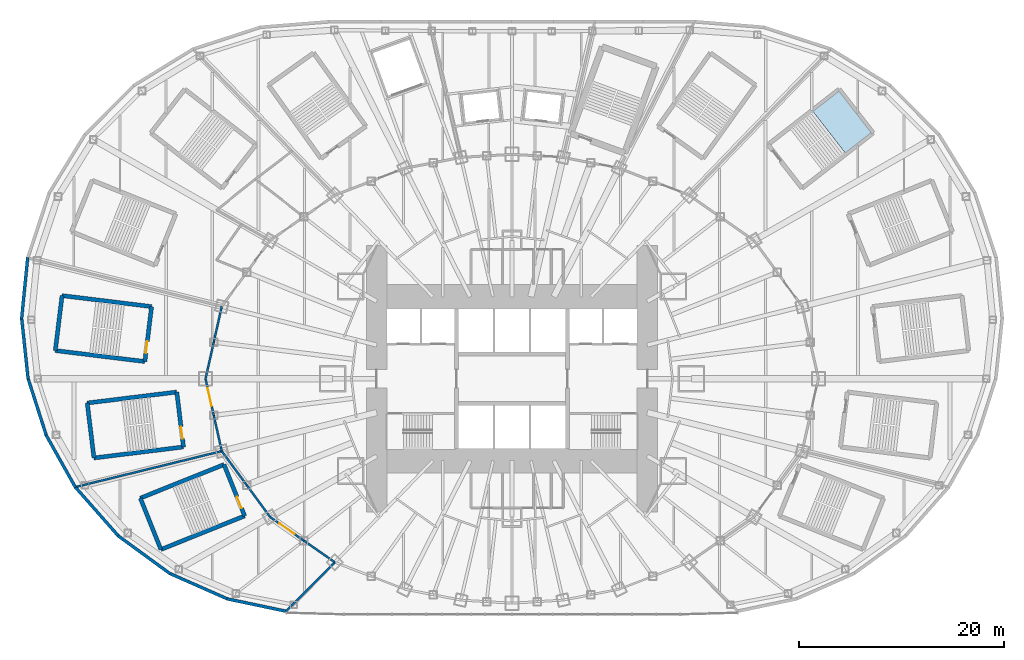
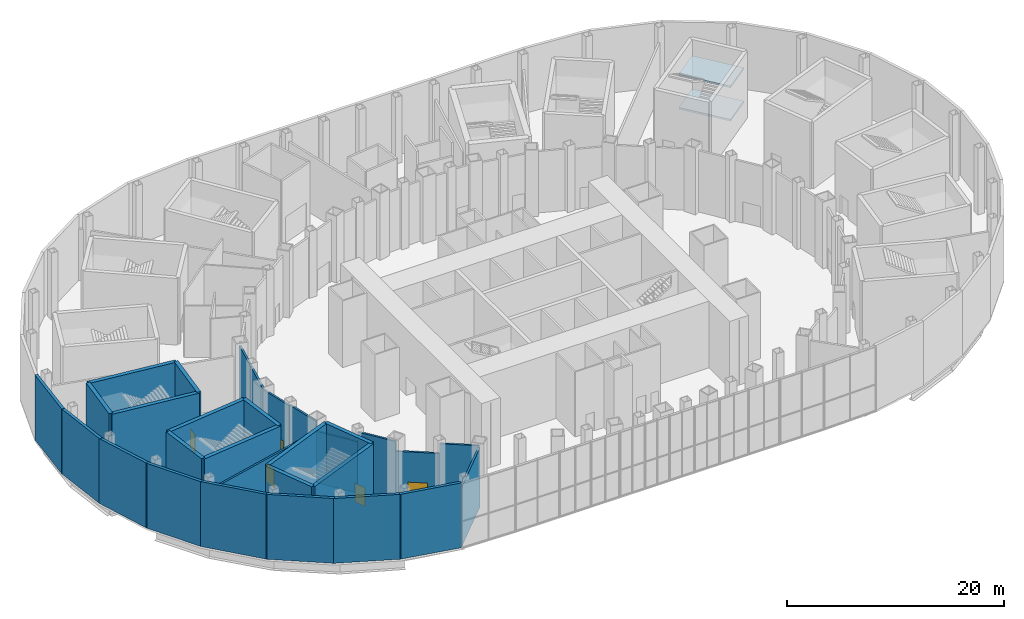
# One storey, part 13 of 73: 30 walls, 5 doors, 2 slabs, 5 openings, 1 element without a shape of its own.
"""IFC4 building model written with IfcOpenShell, lengths in metres."""

from ifc_helpers import new_model, si_unit, direction, frame, frame_2d, origin, place, context, subcontext, project, spatial, polyline, rectangle, outline, extrude, material, layer, layer_set, type_object, element, fill, aggregate, save


model = new_model("IFC4")

# Units and contexts
model_context = context("Model", 3, precision=1e-05, world=origin(), true_north=direction((0.0, 1.0)))
body_context = subcontext(model_context, "Body", "Model", "MODEL_VIEW")
ifc_project = project(units=[si_unit("LENGTHUNIT", "METRE"), si_unit("AREAUNIT", "SQUARE_METRE"), si_unit("VOLUMEUNIT", "CUBIC_METRE"), si_unit("PLANEANGLEUNIT", "RADIAN"), si_unit("MASSUNIT", "GRAM", prefix="KILO")], contexts=[model_context])

# Site, building, storey
site_placement = place(None, origin())
site = spatial("IfcSite", under=ifc_project, at=site_placement, CompositionType="ELEMENT")
building_placement = place(site_placement, origin())
building = spatial("IfcBuilding", under=site, at=building_placement, Name="Lantaw Convention Tower", CompositionType="ELEMENT")
storey_placement = place(building_placement, frame((0.0, 0.0, 14.5)))
storey = spatial("IfcBuildingStorey", under=building, at=storey_placement, Name="L02", CompositionType="ELEMENT", Elevation=14.5)

# Stair, slabs
ifc_material_1 = material(Name="Concrete C35/45", Category="concrete")
stair_type = type_object("IfcStairType", Name="Exit stair 2400 riser 170.45 in 4 flights", PredefinedType="HALF_TURN_STAIR", material=ifc_material_1)
stair_placement = place(storey_placement, origin())
stair = element("IfcStair", 1, at=stair_placement, inside=storey, type_object=stair_type, Name="Podium exit stair P3 L02", PredefinedType="HALF_TURN_STAIR")
ifc_layer_1 = layer(ifc_material_1, 0.199951171875)
ifc_layer_set_1 = layer_set([ifc_layer_1], Name="Stair landing 200")
slab_type = type_object("IfcSlabType", Name="Stair landing 200", PredefinedType="LANDING", material=ifc_layer_set_1)
slab_1_placement = place(storey_placement, frame((0.0, 0.0, 1.675048828125)))
slab_1 = element("IfcSlab", 2, at=slab_1_placement, type_object=slab_type, Name="P3 landing 2", PredefinedType="LANDING", context=body_context, shape_type="SweptSolid", body=[
    extrude(outline(polyline([(32.51953125, 22.0224609375), (35.07080078125, 24.006591796875), (31.903076171875, 28.07958984375), (29.351806640625, 26.095458984375), (32.51953125, 22.0224609375)])), origin(), (0.0, 0.0, 1.0), 0.199951171875),
])
slab_2_placement = place(storey_placement, frame((0.0, 0.0, 5.425048828125)))
slab_2 = element("IfcSlab", 3, at=slab_2_placement, type_object=slab_type, Name="P3 landing 4", PredefinedType="LANDING", context=body_context, shape_type="SweptSolid", body=[
    extrude(outline(polyline([(32.51953125, 22.0224609375), (35.07080078125, 24.006591796875), (31.903076171875, 28.07958984375), (29.351806640625, 26.095458984375), (32.51953125, 22.0224609375)])), origin(), (0.0, 0.0, 1.0), 0.199951171875),
])
aggregate(stair, [slab_1, slab_2])

# Walls
ifc_material_2 = material(Name="Precast concrete panel, pale aluminium rainscreen", Category="concrete")
ifc_layer_2 = layer(ifc_material_2, 0.300048828125)
ifc_layer_set_2 = layer_set([ifc_layer_2], Name="Podium external wall 300")
wall_type_1 = type_object("IfcWallType", Name="Podium external wall 300", PredefinedType="SOLIDWALL", material=ifc_layer_set_2)
wall_1_placement = place(storey_placement, frame((-47.256591796875, 11.845458984375, 0.0), z_axis=(0.0, 0.0, 1.0), x_axis=(-0.099051198898, -0.9950823383, 0.0)))
element("IfcWall", 4, at=wall_1_placement, inside=storey, type_object=wall_type_1, Name="Podium facade wall", PredefinedType="SOLIDWALL", context=body_context, shape_type="SweptSolid", body=[
    extrude(rectangle(XDim=6.036376953125, YDim=0.300048828125, at=frame_2d((3.01806640625, 0.0))), origin(), (0.0, 0.0, 1.0), 7.300048828125),
])
wall_2_placement = place(storey_placement, frame((-47.85498046875, 5.94921875, 0.0), z_axis=(0.0, 0.0, 1.0), x_axis=(0.105835648981, -0.99438363593, 0.0)))
element("IfcWall", 5, at=wall_2_placement, inside=storey, type_object=wall_type_1, Name="Podium facade wall", PredefinedType="SOLIDWALL", context=body_context, shape_type="SweptSolid", body=[
    extrude(rectangle(XDim=6.0068359375, YDim=0.300048828125, at=frame_2d((3.00341796875, 0.0))), origin(), (0.0, 0.0, 1.0), 7.300048828125),
])
wall_3_placement = place(storey_placement, frame((-47.241943359375, 0.083740234375, 0.0), z_axis=(0.0, 0.0, 1.0), x_axis=(0.304991367091, -0.95235511549, 0.0)))
element("IfcWall", 6, at=wall_3_placement, inside=storey, type_object=wall_type_1, Name="Podium facade wall", PredefinedType="SOLIDWALL", context=body_context, shape_type="SweptSolid", body=[
    extrude(rectangle(XDim=5.956298828125, YDim=0.300048828125, at=frame_2d((2.97802734375, 0.0))), origin(), (0.0, 0.0, 1.0), 7.300048828125),
])
wall_4_placement = place(storey_placement, frame((-45.46923828125, -5.48828125, 0.0), z_axis=(0.0, 0.0, 1.0), x_axis=(0.489563544979, -0.871967622924, 0.0)))
element("IfcWall", 7, at=wall_4_placement, inside=storey, type_object=wall_type_1, Name="Podium facade wall", PredefinedType="SOLIDWALL", context=body_context, shape_type="SweptSolid", body=[
    extrude(rectangle(XDim=5.882568359375, YDim=0.300048828125, at=frame_2d((2.94140625, 0.0))), origin(), (0.0, 0.0, 1.0), 7.300048828125),
])
wall_5_placement = place(storey_placement, frame((-42.653564453125, -10.527099609375, 0.0), z_axis=(0.0, 0.0, 1.0), x_axis=(0.661196672464, -0.75021261008, 0.0)))
element("IfcWall", 8, at=wall_5_placement, inside=storey, type_object=wall_type_1, Name="Podium facade wall", PredefinedType="SOLIDWALL", context=body_context, shape_type="SweptSolid", body=[
    extrude(rectangle(XDim=6.48095703125, YDim=0.300048828125, at=frame_2d((3.240478515625, 0.0))), origin(), (0.0, 0.0, 1.0), 7.300048828125),
])
wall_6_placement = place(storey_placement, frame((-38.451171875, -15.313720703125, 0.0), z_axis=(0.0, 0.0, 1.0), x_axis=(0.807903497184, -0.589314804868, 0.0)))
element("IfcWall", 9, at=wall_6_placement, inside=storey, type_object=wall_type_1, Name="Podium facade wall", PredefinedType="SOLIDWALL", context=body_context, shape_type="SweptSolid", body=[
    extrude(rectangle(XDim=6.30810546875, YDim=0.300048828125, at=frame_2d((3.154052734375, 0.0))), origin(), (0.0, 0.0, 1.0), 7.300048828125),
])
wall_7_placement = place(storey_placement, frame((-33.451416015625, -18.9755859375, 0.0), z_axis=(0.0, 0.0, 1.0), x_axis=(0.914840828207, -0.40381463451, 0.0)))
element("IfcWall", 10, at=wall_7_placement, inside=storey, type_object=wall_type_1, Name="Podium facade wall", PredefinedType="SOLIDWALL", context=body_context, shape_type="SweptSolid", body=[
    extrude(rectangle(XDim=6.271484375, YDim=0.300048828125, at=frame_2d((3.1357421875, 0.0))), origin(), (0.0, 0.0, 1.0), 7.300048828125),
])
wall_8_placement = place(storey_placement, frame((-27.819580078125, -21.473876953125, 0.0), z_axis=(0.0, 0.0, 1.0), x_axis=(0.978625319268, -0.205651366364, 0.0)))
element("IfcWall", 11, at=wall_8_placement, inside=storey, type_object=wall_type_1, Name="Podium facade wall", PredefinedType="SOLIDWALL", context=body_context, shape_type="SweptSolid", body=[
    extrude(rectangle(XDim=5.9619140625, YDim=0.300048828125, at=frame_2d((2.98095703125, 0.0))), origin(), (0.0, 0.0, 1.0), 7.300048828125),
])
ifc_material_3 = material(Name="Concrete blockwork", Category="masonry")
ifc_layer_3 = layer(ifc_material_3, 0.199951171875)
ifc_layer_set_3 = layer_set([ifc_layer_3], Name="Podium partition 200")
wall_type_2 = type_object("IfcWallType", Name="Podium partition 200", PredefinedType="SOLIDWALL", material=ifc_layer_set_3)
wall_9_placement = place(storey_placement, frame((-28.31787109375, 7.060302734375, 0.0), z_axis=(0.0, 0.0, 1.0), x_axis=(-0.218673326171, -0.97579812278, 0.0)))
element("IfcWall", 12, at=wall_9_placement, inside=storey, type_object=wall_type_2, Name="Podium partition 200", PredefinedType="SOLIDWALL", context=body_context, shape_type="SweptSolid", body=[
    extrude(rectangle(XDim=3.57373046875, YDim=0.199951171875, at=frame_2d((1.786865234375, 0.0))), origin(), (0.0, 0.0, 1.0), 6.850341796875),
])
wall_10_placement = place(storey_placement, frame((-29.099365234375, 3.572998046875, 0.0), z_axis=(0.0, 0.0, 1.0), x_axis=(-0.218631550323, -0.975807483679, 0.0)))
element("IfcWall", 13, at=wall_10_placement, inside=storey, type_object=wall_type_2, Name="Podium partition 200", PredefinedType="SOLIDWALL", context=body_context, shape_type="SweptSolid", body=[
    extrude(rectangle(XDim=3.66162109375, YDim=0.199951171875, at=frame_2d((1.830810546875, 0.0))), origin(), (0.0, 0.0, 1.0), 6.850341796875),
])

# Wall, opening, door
wall_11_placement = place(storey_placement, frame((-29.89990234375, 0.0, 0.0), z_axis=(0.0, 0.0, 1.0), x_axis=(0.218631550323, -0.975807483679, 0.0)))
wall_11 = element("IfcWall", 14, at=wall_11_placement, inside=storey, type_object=wall_type_2, Name="Podium partition 200", PredefinedType="SOLIDWALL", context=body_context, shape_type="SweptSolid", body=[
    extrude(rectangle(XDim=3.66162109375, YDim=0.199951171875, at=frame_2d((1.830810546875, 0.0))), origin(), (0.0, 0.0, 1.0), 6.771728515625),
])
opening_1_placement = place(wall_11_placement, frame((0.930908203125, 0.0, 0.0)))
opening_1 = element("IfcOpeningElement", 15, at=opening_1_placement, cuts=wall_11, Name="Opening L02.22", PredefinedType="OPENING", context=body_context, shape_type="SweptSolid", body=[
    extrude(rectangle(XDim=1.800048828125, YDim=2.39990234375, at=frame_2d((0.89990234375, 1.199951171875))), frame((0.0, 0.10986328125, 0.0), z_axis=(0.0, -1.0, 0.0), x_axis=(1.0, 0.0, 0.0)), (0.0, 0.0, 1.0), 0.219970703125),
])
ifc_material_4 = material(Name="Timber", Category="wood")
door_type_1 = type_object("IfcDoorType", Name="Hall double door 1800", OperationType="DOUBLE_DOOR_DOUBLE_SWING", PredefinedType="DOOR", material=ifc_material_4)
door_1_placement = place(opening_1_placement, origin())
door_1 = element("IfcDoor", 16, at=door_1_placement, inside=storey, type_object=door_type_1, Name="Meeting room door", OperationType="DOUBLE_DOOR_DOUBLE_SWING", OverallHeight=2.39990234375, OverallWidth=1.800048828125, PredefinedType="DOOR", context=body_context, shape_type="SweptSolid", body=[
    extrude(rectangle(XDim=1.800048828125, YDim=2.39990234375, at=frame_2d((0.89990234375, 1.199951171875))), frame((0.0, 0.02490234375, 0.0), z_axis=(0.0, -1.0, 0.0), x_axis=(1.0, 0.0, 0.0)), (0.0, 0.0, 1.0), 0.050048828125),
])
fill(opening_1, door_1)

# Walls
wall_12_placement = place(storey_placement, frame((-29.099365234375, -3.572998046875, 0.0), z_axis=(0.0, 0.0, 1.0), x_axis=(0.218673326171, -0.97579812278, 0.0)))
element("IfcWall", 17, at=wall_12_placement, inside=storey, type_object=wall_type_2, Name="Podium partition 200", PredefinedType="SOLIDWALL", context=body_context, shape_type="SweptSolid", body=[
    extrude(rectangle(XDim=3.57373046875, YDim=0.199951171875, at=frame_2d((1.786865234375, 0.0))), origin(), (0.0, 0.0, 1.0), 6.896240234375),
])
wall_13_placement = place(storey_placement, frame((-28.31787109375, -7.060302734375, 0.0), z_axis=(0.0, 0.0, 1.0), x_axis=(0.591255937291, -0.806483984105, 0.0)))
element("IfcWall", 18, at=wall_13_placement, inside=storey, type_object=wall_type_2, Name="Podium partition 200", PredefinedType="SOLIDWALL", context=body_context, shape_type="SweptSolid", body=[
    extrude(rectangle(XDim=4.126708984375, YDim=0.199951171875, at=frame_2d((2.0634765625, 0.0))), origin(), (0.0, 0.0, 1.0), 5.800048828125),
])
wall_14_placement = place(storey_placement, frame((-25.8779296875, -10.388427734375, 0.0), z_axis=(0.0, 0.0, 1.0), x_axis=(0.591286566758, -0.806461527893, 0.0)))
element("IfcWall", 19, at=wall_14_placement, inside=storey, type_object=wall_type_2, Name="Podium partition 200", PredefinedType="SOLIDWALL", context=body_context, shape_type="SweptSolid", body=[
    extrude(rectangle(XDim=3.843994140625, YDim=0.199951171875, at=frame_2d((1.921875, 0.0))), origin(), (0.0, 0.0, 1.0), 6.896240234375),
])

# Wall, opening, door
wall_15_placement = place(storey_placement, frame((-23.60498046875, -13.488525390625, 0.0), z_axis=(0.0, 0.0, 1.0), x_axis=(0.819442856133, -0.573160889744, 0.0)))
wall_15 = element("IfcWall", 20, at=wall_15_placement, inside=storey, type_object=wall_type_2, Name="Podium partition 200", PredefinedType="SOLIDWALL", context=body_context, shape_type="SweptSolid", body=[
    extrude(rectangle(XDim=4.022705078125, YDim=0.199951171875, at=frame_2d((2.01123046875, 0.0))), origin(), (0.0, 0.0, 1.0), 5.800048828125),
])
opening_2_placement = place(wall_15_placement, frame((1.111328125, 0.0, 0.0)))
opening_2 = element("IfcOpeningElement", 21, at=opening_2_placement, cuts=wall_15, Name="Opening L02.23", PredefinedType="OPENING", context=body_context, shape_type="SweptSolid", body=[
    extrude(rectangle(XDim=1.800048828125, YDim=2.39990234375, at=frame_2d((0.89990234375, 1.199951171875))), frame((0.0, 0.10986328125, 0.0), z_axis=(0.0, -1.0, 0.0), x_axis=(1.0, 0.0, 0.0)), (0.0, 0.0, 1.0), 0.219970703125),
])
door_2_placement = place(opening_2_placement, origin())
door_2 = element("IfcDoor", 22, at=door_2_placement, inside=storey, type_object=door_type_1, Name="Meeting room door", OperationType="DOUBLE_DOOR_DOUBLE_SWING", OverallHeight=2.39990234375, OverallWidth=1.800048828125, PredefinedType="DOOR", context=body_context, shape_type="SweptSolid", body=[
    extrude(rectangle(XDim=1.800048828125, YDim=2.39990234375, at=frame_2d((0.89990234375, 1.199951171875))), frame((0.0, 0.02490234375, 0.0), z_axis=(0.0, -1.0, 0.0), x_axis=(1.0, 0.0, 0.0)), (0.0, 0.0, 1.0), 0.050048828125),
])
fill(opening_2, door_2)

# Walls
wall_16_placement = place(storey_placement, frame((-20.30859375, -15.794189453125, 0.0), z_axis=(0.0, 0.0, 1.0), x_axis=(0.819409395821, -0.573208724672, 0.0)))
element("IfcWall", 23, at=wall_16_placement, inside=storey, type_object=wall_type_2, Name="Podium partition 200", PredefinedType="SOLIDWALL", context=body_context, shape_type="SweptSolid", body=[
    extrude(rectangle(XDim=3.682861328125, YDim=0.199951171875, at=frame_2d((1.84130859375, 0.0))), origin(), (0.0, 0.0, 1.0), 6.896240234375),
])
wall_17_placement = place(storey_placement, frame((-28.31787109375, -7.060302734375, 0.0), z_axis=(0.0, 0.0, 1.0), x_axis=(-0.971190644534, -0.238303864783, 0.0)))
element("IfcWall", 24, at=wall_17_placement, inside=storey, type_object=wall_type_2, Name="Podium partition 200", PredefinedType="SOLIDWALL", context=body_context, shape_type="SweptSolid", body=[
    extrude(rectangle(XDim=14.722900390625, YDim=0.199951171875, at=frame_2d((7.361328125, 0.0))), origin(), (0.0, 0.0, 1.0), 5.800048828125),
])
wall_18_placement = place(storey_placement, frame((-17.290771484375, -17.9052734375, 0.0), z_axis=(0.0, 0.0, 1.0), x_axis=(-0.704348079756, -0.709854761585, 0.0)))
element("IfcWall", 25, at=wall_18_placement, inside=storey, type_object=wall_type_2, Name="Podium partition 200", PredefinedType="SOLIDWALL", context=body_context, shape_type="SweptSolid", body=[
    extrude(rectangle(XDim=6.739013671875, YDim=0.199951171875, at=frame_2d((3.36962890625, 0.0))), origin(), (0.0, 0.0, 1.0), 6.697998046875),
])
ifc_material_5 = material(Name="Concrete C40/50, stair core", Category="concrete")
ifc_layer_4 = layer(ifc_material_5, 0.39990234375)
ifc_layer_set_4 = layer_set([ifc_layer_4], Name="Stair enclosure wall 400 EI 120")
wall_type_3 = type_object("IfcWallType", Name="Stair enclosure wall 400 EI 120", PredefinedType="SHEAR", material=ifc_layer_set_4)
wall_19_placement = place(storey_placement, frame((-35.164794921875, 7.037841796875, 0.0), z_axis=(0.0, 0.0, 1.0), x_axis=(-0.992545280606, 0.121876437212, 0.0)))
element("IfcWall", 26, at=wall_19_placement, inside=storey, type_object=wall_type_3, Name="Stair enclosure wall", PredefinedType="SHEAR", context=body_context, shape_type="SweptSolid", body=[
    extrude(rectangle(XDim=8.800048828125, YDim=0.39990234375, at=frame_2d((4.39990234375, 0.0))), origin(), (0.0, 0.0, 1.0), 7.5),
])
wall_20_placement = place(storey_placement, frame((-43.899169921875, 8.1103515625, 0.0), z_axis=(0.0, 0.0, 1.0), x_axis=(-0.12184754212, -0.99254882826, 0.0)))
element("IfcWall", 27, at=wall_20_placement, inside=storey, type_object=wall_type_3, Name="Stair enclosure wall", PredefinedType="SHEAR", context=body_context, shape_type="SweptSolid", body=[
    extrude(rectangle(XDim=5.39990234375, YDim=0.39990234375, at=frame_2d((2.699951171875, 0.0))), origin(), (0.0, 0.0, 1.0), 7.5),
])
wall_21_placement = place(storey_placement, frame((-44.55712890625, 2.750732421875, 0.0), z_axis=(0.0, 0.0, 1.0), x_axis=(0.992545280606, -0.121876437212, 0.0)))
element("IfcWall", 28, at=wall_21_placement, inside=storey, type_object=wall_type_3, Name="Stair enclosure wall", PredefinedType="SHEAR", context=body_context, shape_type="SweptSolid", body=[
    extrude(rectangle(XDim=8.800048828125, YDim=0.39990234375, at=frame_2d((4.39990234375, 0.0))), origin(), (0.0, 0.0, 1.0), 7.5),
])

# Wall, opening, door
wall_22_placement = place(storey_placement, frame((-35.82275390625, 1.67822265625, 0.0), z_axis=(0.0, 0.0, 1.0), x_axis=(0.12184754212, 0.99254882826, 0.0)))
wall_22 = element("IfcWall", 29, at=wall_22_placement, inside=storey, type_object=wall_type_3, Name="Stair enclosure wall", PredefinedType="SHEAR", context=body_context, shape_type="SweptSolid", body=[
    extrude(rectangle(XDim=5.39990234375, YDim=0.39990234375, at=frame_2d((2.699951171875, 0.0))), origin(), (0.0, 0.0, 1.0), 7.5),
])
opening_3_placement = place(wall_22_placement, frame((0.800048828125, 0.0, 0.0)))
opening_3 = element("IfcOpeningElement", 30, at=opening_3_placement, cuts=wall_22, Name="Opening L02.P9", PredefinedType="OPENING", context=body_context, shape_type="SweptSolid", body=[
    extrude(rectangle(XDim=1.199951171875, YDim=2.10009765625, at=frame_2d((0.60009765625, 1.050048828125))), frame((0.0, 0.2099609375, 0.0), z_axis=(0.0, -1.0, 0.0), x_axis=(1.0, 0.0, 0.0)), (0.0, 0.0, 1.0), 0.419921875),
])
ifc_material_6 = material(Name="Steel, fire rated", Category="steel")
door_type_2 = type_object("IfcDoorType", Name="Stair door FD90", OperationType="SINGLE_SWING_RIGHT", PredefinedType="DOOR", material=ifc_material_6)
door_3_placement = place(opening_3_placement, origin())
door_3 = element("IfcDoor", 31, at=door_3_placement, inside=storey, type_object=door_type_2, Name="Exit stair door", OperationType="SINGLE_SWING_RIGHT", OverallHeight=2.10009765625, OverallWidth=1.199951171875, PredefinedType="DOOR", context=body_context, shape_type="SweptSolid", body=[
    extrude(rectangle(XDim=1.199951171875, YDim=2.10009765625, at=frame_2d((0.60009765625, 1.050048828125))), frame((0.0, 0.02490234375, 0.0), z_axis=(0.0, -1.0, 0.0), x_axis=(1.0, 0.0, 0.0)), (0.0, 0.0, 1.0), 0.050048828125),
])
fill(opening_3, door_3)

# Walls
wall_23_placement = place(storey_placement, frame((-32.70849609375, -1.2958984375, 0.0), z_axis=(0.0, 0.0, 1.0), x_axis=(-0.992545692684, -0.121873081252, 0.0)))
element("IfcWall", 32, at=wall_23_placement, inside=storey, type_object=wall_type_3, Name="Stair enclosure wall", PredefinedType="SHEAR", context=body_context, shape_type="SweptSolid", body=[
    extrude(rectangle(XDim=8.80029296875, YDim=0.39990234375, at=frame_2d((4.400146484375, 0.0))), origin(), (0.0, 0.0, 1.0), 7.5),
])
wall_24_placement = place(storey_placement, frame((-41.443115234375, -2.368408203125, 0.0), z_axis=(0.0, 0.0, 1.0), x_axis=(0.121892082937, -0.992543359314, 0.0)))
element("IfcWall", 33, at=wall_24_placement, inside=storey, type_object=wall_type_3, Name="Stair enclosure wall", PredefinedType="SHEAR", context=body_context, shape_type="SweptSolid", body=[
    extrude(rectangle(XDim=5.39990234375, YDim=0.39990234375, at=frame_2d((2.699951171875, 0.0))), origin(), (0.0, 0.0, 1.0), 7.5),
])
wall_25_placement = place(storey_placement, frame((-40.784912109375, -7.72802734375, 0.0), z_axis=(0.0, 0.0, 1.0), x_axis=(0.992545280606, 0.121876437212, 0.0)))
element("IfcWall", 34, at=wall_25_placement, inside=storey, type_object=wall_type_3, Name="Stair enclosure wall", PredefinedType="SHEAR", context=body_context, shape_type="SweptSolid", body=[
    extrude(rectangle(XDim=8.800048828125, YDim=0.39990234375, at=frame_2d((4.39990234375, 0.0))), origin(), (0.0, 0.0, 1.0), 7.5),
])

# Wall, opening, door
wall_26_placement = place(storey_placement, frame((-32.050537109375, -6.655517578125, 0.0), z_axis=(0.0, 0.0, 1.0), x_axis=(-0.12184754212, 0.99254882826, 0.0)))
wall_26 = element("IfcWall", 35, at=wall_26_placement, inside=storey, type_object=wall_type_3, Name="Stair enclosure wall", PredefinedType="SHEAR", context=body_context, shape_type="SweptSolid", body=[
    extrude(rectangle(XDim=5.39990234375, YDim=0.39990234375, at=frame_2d((2.699951171875, 0.0))), origin(), (0.0, 0.0, 1.0), 7.5),
])
opening_4_placement = place(wall_26_placement, frame((0.800048828125, 0.0, 0.0)))
opening_4 = element("IfcOpeningElement", 36, at=opening_4_placement, cuts=wall_26, Name="Opening L02.P10", PredefinedType="OPENING", context=body_context, shape_type="SweptSolid", body=[
    extrude(rectangle(XDim=1.199951171875, YDim=2.10009765625, at=frame_2d((0.60009765625, 1.050048828125))), frame((0.0, 0.2099609375, 0.0), z_axis=(0.0, -1.0, 0.0), x_axis=(1.0, 0.0, 0.0)), (0.0, 0.0, 1.0), 0.419921875),
])
door_4_placement = place(opening_4_placement, origin())
door_4 = element("IfcDoor", 37, at=door_4_placement, inside=storey, type_object=door_type_2, Name="Exit stair door", OperationType="SINGLE_SWING_RIGHT", OverallHeight=2.10009765625, OverallWidth=1.199951171875, PredefinedType="DOOR", context=body_context, shape_type="SweptSolid", body=[
    extrude(rectangle(XDim=1.199951171875, YDim=2.10009765625, at=frame_2d((0.60009765625, 1.050048828125))), frame((0.0, 0.02490234375, 0.0), z_axis=(0.0, -1.0, 0.0), x_axis=(1.0, 0.0, 0.0)), (0.0, 0.0, 1.0), 0.050048828125),
])
fill(opening_4, door_4)

# Walls
wall_27_placement = place(storey_placement, frame((-28.0986328125, -8.37060546875, 0.0), z_axis=(0.0, 0.0, 1.0), x_axis=(-0.92801678004, -0.372538395288, 0.0)))
element("IfcWall", 38, at=wall_27_placement, inside=storey, type_object=wall_type_3, Name="Stair enclosure wall", PredefinedType="SHEAR", context=body_context, shape_type="SweptSolid", body=[
    extrude(rectangle(XDim=8.800048828125, YDim=0.39990234375, at=frame_2d((4.39990234375, 0.0))), origin(), (0.0, 0.0, 1.0), 7.5),
])
wall_28_placement = place(storey_placement, frame((-36.26513671875, -11.64892578125, 0.0), z_axis=(0.0, 0.0, 1.0), x_axis=(0.372544066459, -0.928014503414, 0.0)))
element("IfcWall", 39, at=wall_28_placement, inside=storey, type_object=wall_type_3, Name="Stair enclosure wall", PredefinedType="SHEAR", context=body_context, shape_type="SweptSolid", body=[
    extrude(rectangle(XDim=5.39990234375, YDim=0.39990234375, at=frame_2d((2.699951171875, 0.0))), origin(), (0.0, 0.0, 1.0), 7.5),
])
wall_29_placement = place(storey_placement, frame((-34.25341796875, -16.66015625, 0.0), z_axis=(0.0, 0.0, 1.0), x_axis=(0.92801678004, 0.372538395288, 0.0)))
element("IfcWall", 40, at=wall_29_placement, inside=storey, type_object=wall_type_3, Name="Stair enclosure wall", PredefinedType="SHEAR", context=body_context, shape_type="SweptSolid", body=[
    extrude(rectangle(XDim=8.800048828125, YDim=0.39990234375, at=frame_2d((4.39990234375, 0.0))), origin(), (0.0, 0.0, 1.0), 7.5),
])

# Wall, opening, door
wall_30_placement = place(storey_placement, frame((-26.0869140625, -13.3818359375, 0.0), z_axis=(0.0, 0.0, 1.0), x_axis=(-0.372544066459, 0.928014503414, 0.0)))
wall_30 = element("IfcWall", 41, at=wall_30_placement, inside=storey, type_object=wall_type_3, Name="Stair enclosure wall", PredefinedType="SHEAR", context=body_context, shape_type="SweptSolid", body=[
    extrude(rectangle(XDim=5.39990234375, YDim=0.39990234375, at=frame_2d((2.699951171875, 0.0))), origin(), (0.0, 0.0, 1.0), 7.5),
])
opening_5_placement = place(wall_30_placement, frame((0.800048828125, 0.0, 0.0)))
opening_5 = element("IfcOpeningElement", 42, at=opening_5_placement, cuts=wall_30, Name="Opening L02.P11", PredefinedType="OPENING", context=body_context, shape_type="SweptSolid", body=[
    extrude(rectangle(XDim=1.199951171875, YDim=2.10009765625, at=frame_2d((0.60009765625, 1.050048828125))), frame((0.0, 0.2099609375, 0.0), z_axis=(0.0, -1.0, 0.0), x_axis=(1.0, 0.0, 0.0)), (0.0, 0.0, 1.0), 0.419921875),
])
door_5_placement = place(opening_5_placement, origin())
door_5 = element("IfcDoor", 43, at=door_5_placement, inside=storey, type_object=door_type_2, Name="Exit stair door", OperationType="SINGLE_SWING_RIGHT", OverallHeight=2.10009765625, OverallWidth=1.199951171875, PredefinedType="DOOR", context=body_context, shape_type="SweptSolid", body=[
    extrude(rectangle(XDim=1.199951171875, YDim=2.10009765625, at=frame_2d((0.60009765625, 1.050048828125))), frame((0.0, 0.02490234375, 0.0), z_axis=(0.0, -1.0, 0.0), x_axis=(1.0, 0.0, 0.0)), (0.0, 0.0, 1.0), 0.050048828125),
])
fill(opening_5, door_5)

save(model, "model.ifc")
